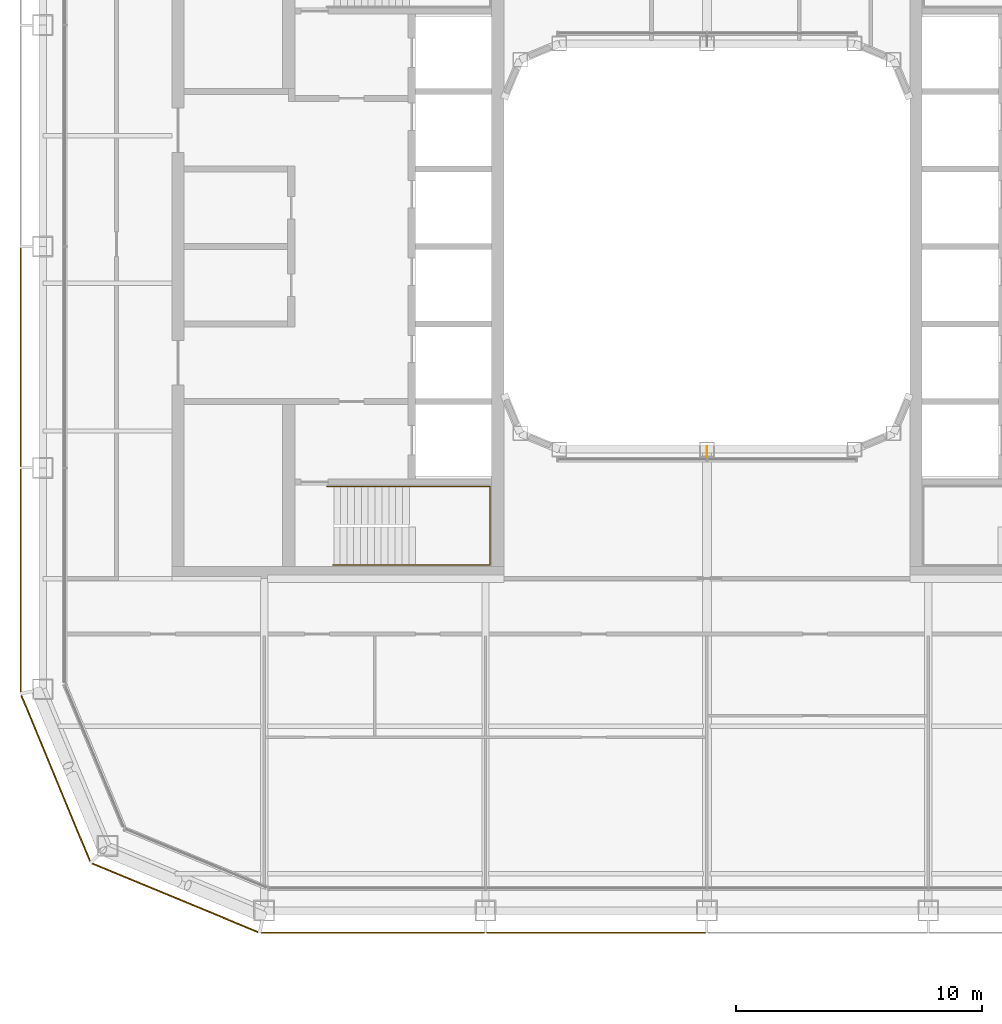
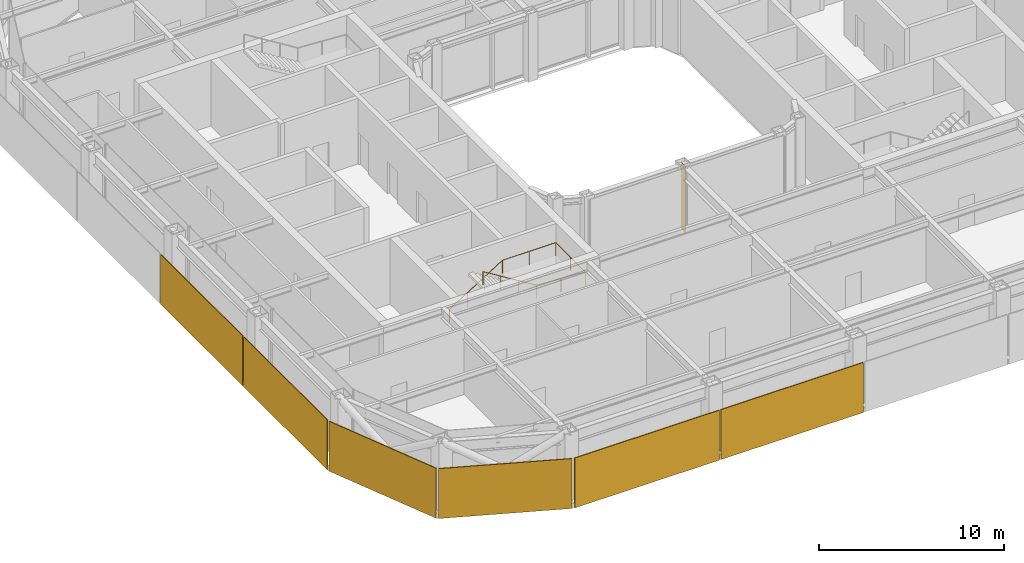
# One storey, part 18 of 22: 6 coverings, 1 railing, 1 shading device.
"""IFC4 building model written with IfcOpenShell, lengths in metres."""

from ifc_helpers import new_model, si_unit, direction, frame, origin, origin_2d, place, context, subcontext, project, spatial, rectangle, circle, extrude, material, layer, layer_set, type_object, element, save


model = new_model("IFC4")

# Units and contexts
model_context = context("Model", 3, precision=1e-05, world=origin(), true_north=direction((0.0, 1.0)))
body_context = subcontext(model_context, "Body", "Model", "MODEL_VIEW")
ifc_project = project(units=[si_unit("LENGTHUNIT", "METRE"), si_unit("AREAUNIT", "SQUARE_METRE"), si_unit("VOLUMEUNIT", "CUBIC_METRE"), si_unit("PLANEANGLEUNIT", "RADIAN"), si_unit("MASSUNIT", "GRAM", prefix="KILO")], contexts=[model_context])

# Site, building, storey
site_placement = place(None, origin())
site = spatial("IfcSite", under=ifc_project, at=site_placement, CompositionType="ELEMENT")
building_placement = place(site_placement, origin())
building = spatial("IfcBuilding", under=site, at=building_placement, Name="Siwar Civic Tower", CompositionType="ELEMENT")
storey_placement = place(building_placement, frame((0.0, 0.0, 219.699951171875)))
storey = spatial("IfcBuildingStorey", under=building, at=storey_placement, Name="L47", CompositionType="ELEMENT", Elevation=219.699951171875)

# Railing
ifc_material_1 = material(Name="Stainless steel", Category="steel")
railing_type = type_object("IfcRailingType", Name="CORE-STAIR-HANDRAIL", PredefinedType="HANDRAIL", material=ifc_material_1)
railing_placement = place(storey_placement, frame((-15.449951171875, -9.758056640625, 0.173095703125)))
element("IfcRailing", 1, at=railing_placement, inside=storey, type_object=railing_type, Name="Stair handrail ST2", PredefinedType="HANDRAIL", context=body_context, shape_type="SweptSolid", body=[
    extrude(circle(Radius=0.02001953125, at=origin_2d()), frame((0.0, 0.0, 0.8798828125), z_axis=(0.847063342986, 0.0, 0.531491950051), x_axis=(0.0, 1.0, 0.0)), (0.0, 0.0, 1.0), 3.90771484375),
    extrude(circle(Radius=0.02001953125, at=origin_2d()), frame((3.31005859375, 0.0, 2.956787109375), z_axis=(1.0, 0.0, 0.0), x_axis=(0.0, 1.0, 0.0)), (0.0, 0.0, 1.0), 3.331787109375),
    extrude(circle(Radius=0.02001953125, at=origin_2d()), frame((6.641845703125, 0.0, 2.956787109375), z_axis=(0.0, -1.0, 0.0), x_axis=(1.0, 0.0, 0.0)), (0.0, 0.0, 1.0), 3.183837890625),
    extrude(circle(Radius=0.02001953125, at=origin_2d()), frame((6.641845703125, -3.183837890625, 2.956787109375), z_axis=(-0.99837434197, 0.0, 0.056997134106), x_axis=(0.0, -1.0, 0.0)), (0.0, 0.0, 1.0), 3.036865234375),
    extrude(circle(Radius=0.02001953125, at=origin_2d()), frame((3.60986328125, -3.183837890625, 3.1298828125), z_axis=(-0.850606129759, 0.0, 0.525803396734), x_axis=(0.0, -1.0, 0.0)), (0.0, 0.0, 1.0), 3.949951171875),
    extrude(circle(Radius=0.02001953125, at=origin_2d()), origin(), (0.0, 0.0, 1.0), 0.85986328125),
    extrude(circle(Radius=0.02001953125, at=origin_2d()), frame((1.103271484375, 0.0, 0.6923828125)), (0.0, 0.0, 1.0), 0.85986328125),
    extrude(circle(Radius=0.02001953125, at=origin_2d()), frame((2.206787109375, 0.0, 1.384521484375)), (0.0, 0.0, 1.0), 0.85986328125),
    extrude(circle(Radius=0.02001953125, at=origin_2d()), frame((3.31005859375, 0.0, 2.076904296875)), (0.0, 0.0, 1.0), 0.85986328125),
    extrude(circle(Radius=0.02001953125, at=origin_2d()), frame((4.97607421875, 0.0, 2.076904296875)), (0.0, 0.0, 1.0), 0.85986328125),
    extrude(circle(Radius=0.02001953125, at=origin_2d()), frame((6.641845703125, 0.0, 2.076904296875)), (0.0, 0.0, 1.0), 0.85986328125),
    extrude(circle(Radius=0.02001953125, at=origin_2d()), frame((6.641845703125, -1.591796875, 2.076904296875)), (0.0, 0.0, 1.0), 0.85986328125),
    extrude(circle(Radius=0.02001953125, at=origin_2d()), frame((6.641845703125, -3.183837890625, 2.076904296875)), (0.0, 0.0, 1.0), 0.85986328125),
    extrude(circle(Radius=0.02001953125, at=origin_2d()), frame((5.1259765625, -3.183837890625, 2.16357421875)), (0.0, 0.0, 1.0), 0.85986328125),
    extrude(circle(Radius=0.02001953125, at=origin_2d()), frame((3.60986328125, -3.183837890625, 2.25)), (0.0, 0.0, 1.0), 0.85986328125),
    extrude(circle(Radius=0.02001953125, at=origin_2d()), frame((2.489990234375, -3.183837890625, 2.9423828125)), (0.0, 0.0, 1.0), 0.85986328125),
    extrude(circle(Radius=0.02001953125, at=origin_2d()), frame((1.369873046875, -3.183837890625, 3.634521484375)), (0.0, 0.0, 1.0), 0.85986328125),
    extrude(circle(Radius=0.02001953125, at=origin_2d()), frame((0.25, -3.183837890625, 4.326904296875)), (0.0, 0.0, 1.0), 0.85986328125),
])

# Shading device
ifc_material_2 = material(Name="Aluminium 6063-T6", Category="aluminium")
ifc_layer_1 = layer(ifc_material_2, 0.02001953125)
ifc_layer_set_1 = layer_set([ifc_layer_1], Name="Aluminium 6063-T6")
shading_device_type = type_object("IfcShadingDeviceType", Name="ENV-FIN", PredefinedType="JALOUSIE", material=ifc_layer_set_1)
shading_device_placement = place(storey_placement, frame((0.0, -8.344970703125, 0.0), z_axis=(0.0, 0.0, 1.0), x_axis=(1.0, 0.0, 0.0)))
element("IfcShadingDevice", 2, at=shading_device_placement, inside=storey, type_object=shading_device_type, Name="SUNSHADE fin WS 1", PredefinedType="JALOUSIE", context=body_context, shape_type="SweptSolid", body=[
    extrude(rectangle(XDim=0.02001953125, YDim=0.449951171875, at=origin_2d()), origin(), (0.0, 0.0, 1.0), 4.35009765625),
])

# Coverings
ifc_material_3 = material(Name="Perforated aluminium cassette, pale metal", Category="aluminium")
ifc_layer_2 = layer(ifc_material_3, 0.050048828125)
ifc_layer_set_2 = layer_set([ifc_layer_2], Name="Perforated aluminium cassette, pale metal")
covering_type_1 = type_object("IfcCoveringType", Name="ENV-OUTER SKIN OS-3", PredefinedType="CLADDING", material=ifc_layer_set_2)
covering_1_placement = place(storey_placement, frame((-27.89990234375, -4.5, -0.14990234375), z_axis=(0.0, 0.0, 1.0), x_axis=(0.0, -1.0, 0.0)))
element("IfcCovering", 3, at=covering_1_placement, inside=storey, type_object=covering_type_1, Name="OUTER SKIN OS-3 W 3", PredefinedType="CLADDING", context=body_context, shape_type="SweptSolid", body=[
    extrude(rectangle(XDim=8.89990234375, YDim=0.050048828125, at=origin_2d()), origin(), (0.0, 0.0, 1.0), 3.300048828125),
])
covering_2_placement = place(storey_placement, frame((-27.89990234375, -13.57958984375, -0.14990234375), z_axis=(0.0, 0.0, 1.0), x_axis=(0.0, -1.0, 0.0)))
element("IfcCovering", 4, at=covering_2_placement, inside=storey, type_object=covering_type_1, Name="OUTER SKIN OS-3 W 4", PredefinedType="CLADDING", context=body_context, shape_type="SweptSolid", body=[
    extrude(rectangle(XDim=9.05908203125, YDim=0.050048828125, at=origin_2d()), origin(), (0.0, 0.0, 1.0), 3.300048828125),
])
ifc_material_4 = material(Name="Perforated aluminium cassette, pale metal", Category="aluminium")
ifc_layer_3 = layer(ifc_material_4, 0.054931640625)
ifc_layer_set_3 = layer_set([ifc_layer_3], Name="Perforated aluminium cassette, pale metal")
covering_type_2 = type_object("IfcCoveringType", Name="ENV-OUTER SKIN OS-4", PredefinedType="CLADDING", material=ifc_layer_set_3)
covering_3_placement = place(storey_placement, frame((-13.57958984375, -27.89990234375, -0.14990234375), z_axis=(0.0, 0.0, 1.0), x_axis=(1.0, 0.0, 0.0)))
element("IfcCovering", 5, at=covering_3_placement, inside=storey, type_object=covering_type_2, Name="OUTER SKIN OS-4 S 1", PredefinedType="CLADDING", context=body_context, shape_type="SweptSolid", body=[
    extrude(rectangle(XDim=9.05908203125, YDim=0.054931640625, at=origin_2d()), origin(), (0.0, 0.0, 1.0), 3.300048828125),
])
covering_4_placement = place(storey_placement, frame((-4.5, -27.89990234375, -0.14990234375), z_axis=(0.0, 0.0, 1.0), x_axis=(1.0, 0.0, 0.0)))
element("IfcCovering", 6, at=covering_4_placement, inside=storey, type_object=covering_type_2, Name="OUTER SKIN OS-4 S 2", PredefinedType="CLADDING", context=body_context, shape_type="SweptSolid", body=[
    extrude(rectangle(XDim=8.89990234375, YDim=0.054931640625, at=origin_2d()), origin(), (0.0, 0.0, 1.0), 3.300048828125),
])
for number, where, z_axis, x_axis, name in (
    (7, (-26.476318359375, -21.615966796875, -0.14990234375), (0.0, 0.0, 1.0), (0.382683432365, -0.923879532511, 0.0), "OUTER SKIN OS-4 SW1 1"),
    (8, (-21.615966796875, -26.476318359375, -0.14990234375), (0.0, 0.0, 1.0), (0.923879532511, -0.382683432365, 0.0), "OUTER SKIN OS-4 SW2 1"),
):
    element("IfcCovering", number, at=place(storey_placement, frame(where, z_axis=z_axis, x_axis=x_axis)), inside=storey, type_object=covering_type_2, Name=name, PredefinedType="CLADDING", context=body_context, shape_type="SweptSolid", body=[
        extrude(rectangle(XDim=7.300048828125, YDim=0.054931640625, at=origin_2d()), origin(), (0.0, 0.0, 1.0), 3.300048828125),
    ])

save(model, "model.ifc")
